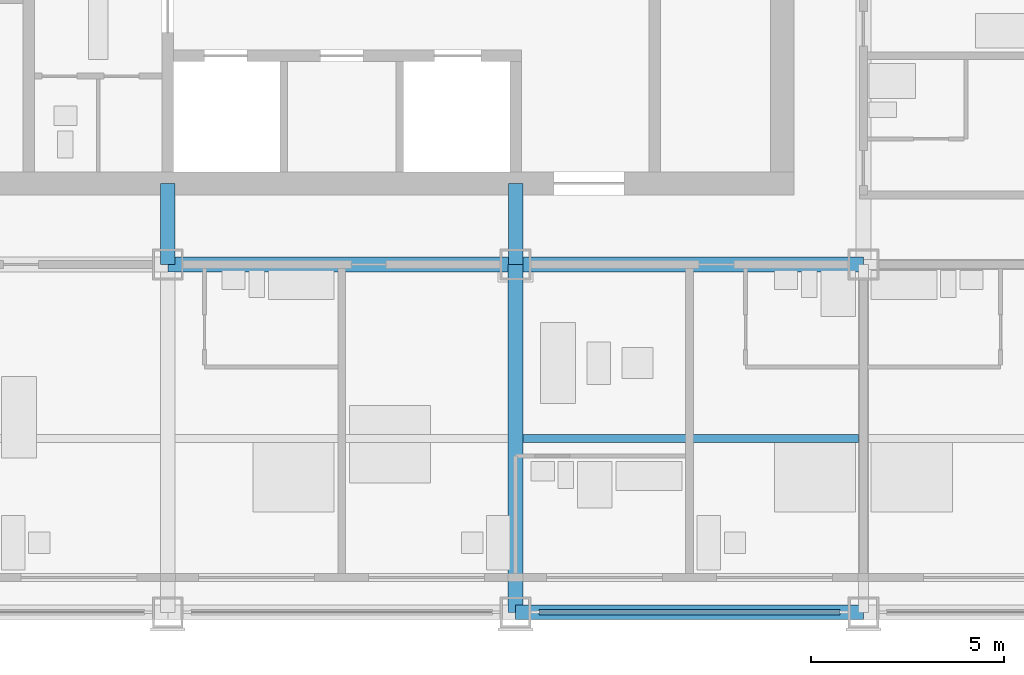
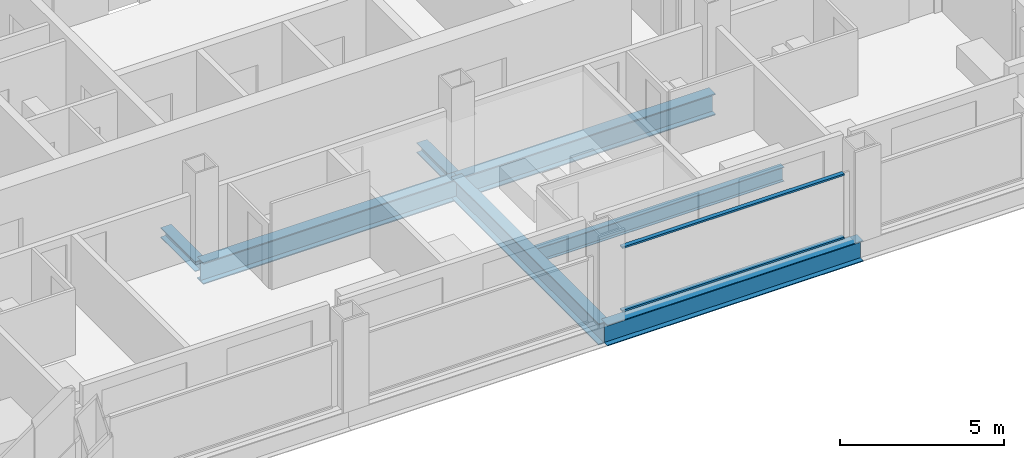
# One storey, part 3 of 13: 5 beams, 4 members, 1 element without a shape of its own.
"""IFC4 building model written with IfcOpenShell, lengths in metres."""

from ifc_helpers import new_model, si_unit, direction, frame, origin, origin_2d, place, context, subcontext, project, spatial, rectangle, i_section, extrude, material, material_profile, profile_set, type_object, element, aggregate, save


model = new_model("IFC4")

# Units and contexts
model_context = context("Model", 3, precision=1e-05, world=origin(), true_north=direction((0.0, 1.0)))
body_context = subcontext(model_context, "Body", "Model", "MODEL_VIEW")
ifc_project = project(units=[si_unit("LENGTHUNIT", "METRE"), si_unit("AREAUNIT", "SQUARE_METRE"), si_unit("VOLUMEUNIT", "CUBIC_METRE"), si_unit("PLANEANGLEUNIT", "RADIAN"), si_unit("MASSUNIT", "GRAM", prefix="KILO")], contexts=[model_context])

# Site, building, storey
site_placement = place(None, origin())
site = spatial("IfcSite", under=ifc_project, at=site_placement, CompositionType="ELEMENT")
building_placement = place(site_placement, origin())
building = spatial("IfcBuilding", under=site, at=building_placement, Name="Loomwork Tower", CompositionType="ELEMENT")
storey_placement = place(building_placement, frame((0.0, 0.0, 208.0)))
storey = spatial("IfcBuildingStorey", under=building, at=storey_placement, Name="L57", CompositionType="ELEMENT", Elevation=208.0)

# Beams
ifc_material_1 = material(Name="Steel ASTM A992", Category="steel")
ifc_material_profile_1 = material_profile(ifc_material_1, i_section(OverallWidth=0.383544921875, OverallDepth=0.794921875, WebThickness=0.02099609375, FlangeThickness=0.0380859375, at=origin_2d()), Name="W30x235")
ifc_profile_set_1 = profile_set([ifc_material_profile_1], Name="Steel ASTM A992")
beam_type_1 = type_object("IfcBeamType", Name="CORE FLANK GIRDER W30x235", PredefinedType="BEAM", material=ifc_profile_set_1)
for number, where, z_axis, x_axis, name in (
    (1, (18.0, 9.0, -0.597412109375), (1.0, 0.0, 0.0), (0.0, 1.0, 0.0), "Core Flank Girder E/4-E/5 L57"),
    (2, (27.0, 9.0, -0.597412109375), (1.0, 0.0, 0.0), (0.0, 1.0, 0.0), "Core Flank Girder E/5-E/6 L57"),
    (3, (27.0, 0.0, -0.597412109375), (0.0, 1.0, 0.0), (-1.0, 0.0, 0.0), "Core Flank Girder D/5-E/5 L57"),
):
    element("IfcBeam", number, at=place(storey_placement, frame(where, z_axis=z_axis, x_axis=x_axis)), inside=storey, type_object=beam_type_1, Name=name, PredefinedType="BEAM", context=body_context, shape_type="SweptSolid", body=[
        extrude(i_section(OverallWidth=0.383544921875, OverallDepth=0.794921875, WebThickness=0.02099609375, FlangeThickness=0.0380859375, at=origin_2d()), origin(), (0.0, 0.0, 1.0), 9.0),
    ])

# Members
ifc_material_2 = material(Name="Steel ASTM A992", Category="steel")
ifc_material_profile_2 = material_profile(ifc_material_2, i_section(OverallWidth=0.373291015625, OverallDepth=0.373291015625, WebThickness=0.016357421875, FlangeThickness=0.026123046875, at=origin_2d()), Name="W14x132")
ifc_profile_set_2 = profile_set([ifc_material_profile_2], Name="Steel ASTM A992")
member_type_1 = type_object("IfcMemberType", Name="CORE LINK STRUT W14x132", PredefinedType="STRUT", material=ifc_profile_set_2)
for number, where, z_axis, x_axis, name in (
    (4, (27.0, 9.0, -0.38671875), (0.0, 1.0, 0.0), (-1.0, 0.0, 0.0), "Core link strut E/5-27.000,11.100 L57"),
    (5, (18.0, 9.0, -0.38671875), (0.0, 1.0, 0.0), (-1.0, 0.0, 0.0), "Core link strut E/4-18.000,11.100 L57"),
):
    element("IfcMember", number, at=place(storey_placement, frame(where, z_axis=z_axis, x_axis=x_axis)), inside=storey, type_object=member_type_1, Name=name, PredefinedType="STRUT", context=body_context, shape_type="SweptSolid", body=[
        extrude(i_section(OverallWidth=0.373291015625, OverallDepth=0.373291015625, WebThickness=0.016357421875, FlangeThickness=0.026123046875, at=origin_2d()), origin(), (0.0, 0.0, 1.0), 2.10009765625),
    ])

# Beam
ifc_material_3 = material(Name="Steel ASTM A992", Category="steel")
ifc_material_profile_3 = material_profile(ifc_material_3, i_section(OverallWidth=0.2109375, OverallDepth=0.53857421875, WebThickness=0.011474609375, FlangeThickness=0.018798828125, at=origin_2d()), Name="W21x73")
ifc_profile_set_3 = profile_set([ifc_material_profile_3], Name="Steel ASTM A992")
beam_type_2 = type_object("IfcBeamType", Name="FLOOR JOIST W21x73", PredefinedType="JOIST", material=ifc_profile_set_3)
beam_1_placement = place(storey_placement, frame((27.19091796875, 4.5, -0.46923828125), z_axis=(1.0, 0.0, 0.0), x_axis=(0.0, 1.0, 0.0)))
element("IfcBeam", 6, at=beam_1_placement, inside=storey, type_object=beam_type_2, Name="Floor Joist 27.000,4.500-36.000,4.500 L57", PredefinedType="JOIST", context=body_context, shape_type="SweptSolid", body=[
    extrude(i_section(OverallWidth=0.2109375, OverallDepth=0.53857421875, WebThickness=0.011474609375, FlangeThickness=0.018798828125, at=origin_2d()), origin(), (0.0, 0.0, 1.0), 8.676025390625),
])

# Curtain wall, members
ifc_material_4 = material(Name="Aluminium curtain wall frame", Category="aluminium")
curtain_wall_type = type_object("IfcCurtainWallType", Name="Outer skin glazing hotel", PredefinedType="NOTDEFINED", material=ifc_material_4)
curtain_wall_placement = place(storey_placement, origin())
curtain_wall = element("IfcCurtainWall", 7, at=curtain_wall_placement, inside=storey, type_object=curtain_wall_type, Name="Outer skin glazing hotel cw/S-27", PredefinedType="NOTDEFINED")
ifc_material_5 = material(Name="Aluminium curtain wall frame", Category="aluminium")
ifc_material_profile_4 = material_profile(ifc_material_5, rectangle(XDim=0.14990234375, YDim=0.06494140625, at=origin_2d()), Name="AL 65x150")
ifc_profile_set_4 = profile_set([ifc_material_profile_4], Name="Aluminium curtain wall frame")
member_type_2 = type_object("IfcMemberType", Name="Outer skin glazing hotel transom", PredefinedType="USERDEFINED", material=ifc_profile_set_4)
member_1_placement = place(storey_placement, frame((27.60009765625, 0.0, 0.032470703125), z_axis=(1.0, 0.0, 0.0), x_axis=(0.0, 1.0, 0.0)))
member_1 = element("IfcMember", 8, at=member_1_placement, type_object=member_type_2, Name="CW1 transom 1.1", ObjectType="TRANSOM", PredefinedType="USERDEFINED", context=body_context, shape_type="SweptSolid", body=[
    extrude(rectangle(XDim=0.14990234375, YDim=0.06494140625, at=origin_2d()), origin(), (0.0, 0.0, 1.0), 7.7998046875),
])
member_2_placement = place(storey_placement, frame((27.60009765625, 0.0, 2.3876953125), z_axis=(1.0, 0.0, 0.0), x_axis=(0.0, 1.0, 0.0)))
member_2 = element("IfcMember", 9, at=member_2_placement, type_object=member_type_2, Name="CW1 transom 1.2", ObjectType="TRANSOM", PredefinedType="USERDEFINED", context=body_context, shape_type="SweptSolid", body=[
    extrude(rectangle(XDim=0.14990234375, YDim=0.06494140625, at=origin_2d()), origin(), (0.0, 0.0, 1.0), 7.7998046875),
])
aggregate(curtain_wall, [member_1, member_2])

# Beam
ifc_material_6 = material(Name="Steel ASTM A992", Category="steel")
ifc_material_profile_5 = material_profile(ifc_material_6, i_section(OverallWidth=0.381103515625, OverallDepth=0.77978515625, WebThickness=0.01806640625, FlangeThickness=0.0302734375, at=origin_2d()), Name="W30x191")
ifc_profile_set_5 = profile_set([ifc_material_profile_5], Name="Steel ASTM A992")
beam_type_3 = type_object("IfcBeamType", Name="SPANDREL GIRDER W30x191", PredefinedType="SPANDREL", material=ifc_profile_set_5)
beam_2_placement = place(storey_placement, frame((27.0, 0.0, -0.58984375), z_axis=(1.0, 0.0, 0.0), x_axis=(0.0, 1.0, 0.0)))
element("IfcBeam", 10, at=beam_2_placement, inside=storey, type_object=beam_type_3, Name="Spandrel Girder D/5-D/6 L57", PredefinedType="SPANDREL", context=body_context, shape_type="SweptSolid", body=[
    extrude(i_section(OverallWidth=0.381103515625, OverallDepth=0.77978515625, WebThickness=0.01806640625, FlangeThickness=0.0302734375, at=origin_2d()), origin(), (0.0, 0.0, 1.0), 9.0),
])

save(model, "model.ifc")
